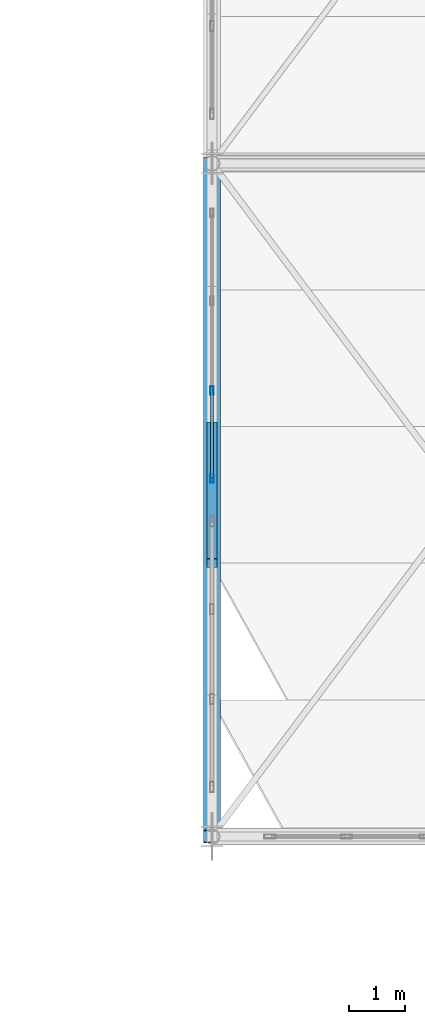
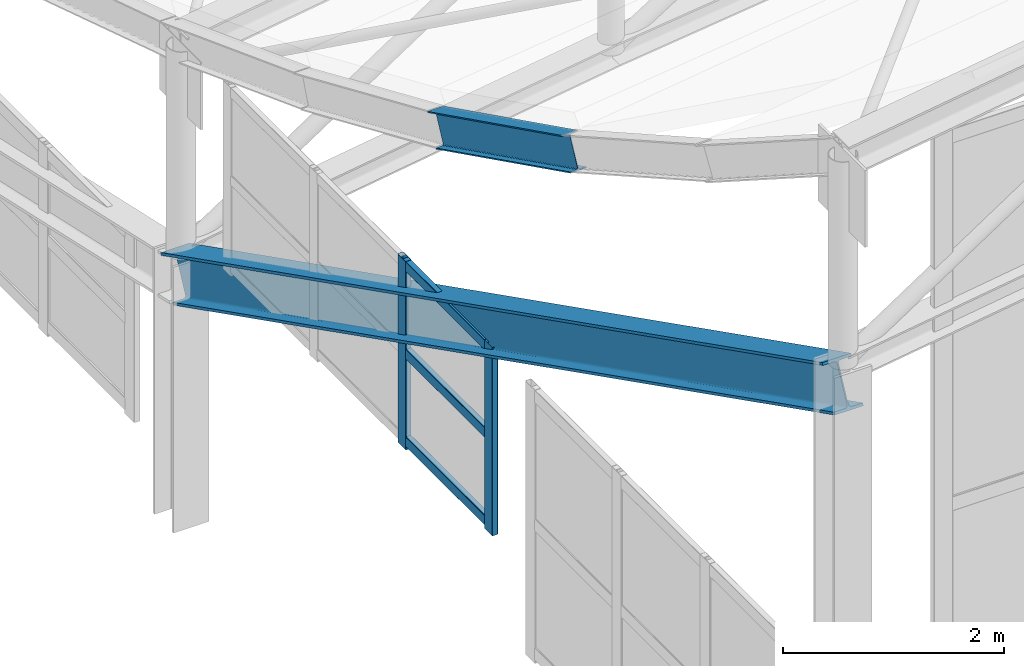
# One storey, part 42 of 262: 6 members, 1 beam, 1 element without a shape of its own.
"""IFC4 building model written with IfcOpenShell, lengths in metres."""

from ifc_helpers import new_model, si_unit, derived_unit, direction, frame, origin, origin_2d, place, context, subcontext, project, spatial, hollow_rectangle, i_section, extrude, material, layer, layer_set, material_profile, profile_set, type_object, element, aggregate, save


model = new_model("IFC4")

# Units and contexts
model_context = context("Model", 3, precision=1e-05, world=origin(), true_north=direction((0.0, 1.0)))
body_context = subcontext(model_context, "Body", "Model", "MODEL_VIEW")
ifc_project = project(units=[si_unit("LENGTHUNIT", "METRE"), si_unit("AREAUNIT", "SQUARE_METRE"), si_unit("VOLUMEUNIT", "CUBIC_METRE"), si_unit("PLANEANGLEUNIT", "RADIAN"), si_unit("MASSUNIT", "GRAM", prefix="KILO"), derived_unit("THERMALTRANSMITTANCEUNIT", [(si_unit("POWERUNIT", "WATT"), 1), (si_unit("LENGTHUNIT", "METRE"), -2), (si_unit("THERMODYNAMICTEMPERATUREUNIT", "KELVIN"), -1)])], contexts=[model_context])

# Site, building, storey
site_placement = place(None, origin())
site = spatial("IfcSite", under=ifc_project, at=site_placement, CompositionType="ELEMENT")
building_placement = place(site_placement, origin())
building = spatial("IfcBuilding", under=site, at=building_placement, Name="Almenara Railside Exhibition Hall", CompositionType="ELEMENT")
storey_placement = place(building_placement, frame((0.0, 0.0, 21.699951171875)))
storey = spatial("IfcBuildingStorey", under=building, at=storey_placement, Name="RF", CompositionType="ELEMENT", Elevation=21.699951171875)

# Curtain wall, members
ifc_material_1 = material(Name="Bronze-anodised aluminium and low-E double glazing", Category="aluminium")
ifc_layer = layer(ifc_material_1, 0.179931640625, Name="Bronze-anodised aluminium and low-E double glazing")
ifc_layer_set = layer_set([ifc_layer], Name="Bronze-anodised aluminium and low-E double glazing")
curtain_wall_type = type_object("IfcCurtainWallType", Name="West Hall Clerestory Curtain Wall 4200x2400", PredefinedType="NOTDEFINED", material=ifc_layer_set)
curtain_wall_placement = place(storey_placement, origin())
curtain_wall = element("IfcCurtainWall", 1, at=curtain_wall_placement, inside=storey, type_object=curtain_wall_type, Name="Curtain wall CW-CL1-169", PredefinedType="NOTDEFINED")
ifc_material_2 = material(Name="Bronze-anodised aluminium", Category="aluminium")
ifc_material_profile_1 = material_profile(ifc_material_2, hollow_rectangle(XDim=0.06005859375, YDim=0.14990234375, WallThickness=0.00341796875, InnerFilletRadius=0.00341796875, OuterFilletRadius=0.007080078125, at=origin_2d()), Name="ALU-MUL 60x150x3.5")
ifc_profile_set_1 = profile_set([ifc_material_profile_1], Name="Bronze-anodised aluminium")
member_type_1 = type_object("IfcMemberType", Name="Curtain Wall Mullion 60x150x3.5", PredefinedType="MULLION", material=ifc_profile_set_1)
member_1_placement = place(storey_placement, frame((12.0, 54.3798828125, 0.85498046875), z_axis=(0.0, 0.0, 1.0), x_axis=(-1.0, 0.0, 0.0)))
member_1 = element("IfcMember", 2, at=member_1_placement, type_object=member_type_1, Name="CW-CL1-169 mullion 1", PredefinedType="MULLION", context=body_context, shape_type="SweptSolid", body=[
    extrude(hollow_rectangle(XDim=0.06005859375, YDim=0.14990234375, WallThickness=0.00341796875, InnerFilletRadius=0.00341796875, OuterFilletRadius=0.007080078125, at=origin_2d()), origin(), (0.0, 0.0, 1.0), 2.0849609375),
])
member_2_placement = place(storey_placement, frame((12.0, 55.949951171875, 0.85498046875), z_axis=(0.0, 0.0, 1.0), x_axis=(-1.0, 0.0, 0.0)))
member_2 = element("IfcMember", 3, at=member_2_placement, type_object=member_type_1, Name="CW-CL1-169 mullion 2", PredefinedType="MULLION", context=body_context, shape_type="SweptSolid", body=[
    extrude(hollow_rectangle(XDim=0.06005859375, YDim=0.14990234375, WallThickness=0.00341796875, InnerFilletRadius=0.00341796875, OuterFilletRadius=0.007080078125, at=origin_2d()), origin(), (0.0, 0.0, 1.0), 2.0849609375),
])
ifc_material_profile_2 = material_profile(ifc_material_2, hollow_rectangle(XDim=0.06005859375, YDim=0.110107421875, WallThickness=0.0029296875, InnerFilletRadius=0.0029296875, OuterFilletRadius=0.006103515625, at=origin_2d()), Name="ALU-TRN 60x110x3")
ifc_profile_set_2 = profile_set([ifc_material_profile_2], Name="Bronze-anodised aluminium")
member_type_2 = type_object("IfcMemberType", Name="Curtain Wall Transom 60x110x3", PredefinedType="USERDEFINED", material=ifc_profile_set_2)
member_3_placement = place(storey_placement, frame((12.0, 54.402099609375, 0.945068359375), z_axis=(0.0, 1.0, 0.0), x_axis=(-1.0, 0.0, 0.0)))
member_3 = element("IfcMember", 4, at=member_3_placement, type_object=member_type_2, Name="CW-CL1-169 transom 1.1", ObjectType="TRANSOM", PredefinedType="USERDEFINED", context=body_context, shape_type="SweptSolid", body=[
    extrude(hollow_rectangle(XDim=0.06005859375, YDim=0.110107421875, WallThickness=0.0029296875, InnerFilletRadius=0.0029296875, OuterFilletRadius=0.006103515625, at=origin_2d()), origin(), (0.0, 0.0, 1.0), 1.52587890625),
])
member_4_placement = place(storey_placement, frame((12.0, 54.402099609375, 1.9150390625), z_axis=(0.0, 1.0, 0.0), x_axis=(-1.0, 0.0, 0.0)))
member_4 = element("IfcMember", 5, at=member_4_placement, type_object=member_type_2, Name="CW-CL1-169 transom 1.2", ObjectType="TRANSOM", PredefinedType="USERDEFINED", context=body_context, shape_type="SweptSolid", body=[
    extrude(hollow_rectangle(XDim=0.06005859375, YDim=0.110107421875, WallThickness=0.0029296875, InnerFilletRadius=0.0029296875, OuterFilletRadius=0.006103515625, at=origin_2d()), origin(), (0.0, 0.0, 1.0), 1.52587890625),
])
member_5_placement = place(storey_placement, frame((12.0, 54.402099609375, 2.885009765625), z_axis=(0.0, 1.0, 0.0), x_axis=(-1.0, 0.0, 0.0)))
member_5 = element("IfcMember", 6, at=member_5_placement, type_object=member_type_2, Name="CW-CL1-169 transom 1.3", ObjectType="TRANSOM", PredefinedType="USERDEFINED", context=body_context, shape_type="SweptSolid", body=[
    extrude(hollow_rectangle(XDim=0.06005859375, YDim=0.110107421875, WallThickness=0.0029296875, InnerFilletRadius=0.0029296875, OuterFilletRadius=0.006103515625, at=origin_2d()), origin(), (0.0, 0.0, 1.0), 1.52587890625),
])
aggregate(curtain_wall, [member_1, member_2, member_3, member_4, member_5])

# Member
ifc_material_3 = material(Name="Structural steel S355JR", Category="steel")
ifc_material_profile_3 = material_profile(ifc_material_3, i_section(OverallWidth=0.169921875, OverallDepth=0.360107421875, WebThickness=0.008056640625, FlangeThickness=0.0126953125, FilletRadius=0.01806640625, at=origin_2d()), Name="IPE 360")
ifc_profile_set_3 = profile_set([ifc_material_profile_3], Name="Structural steel S355JR")
member_type_3 = type_object("IfcMemberType", Name="Long-Span Scroll Purlin IPE 360 S355JR", PredefinedType="PURLIN", material=ifc_profile_set_3)
member_6_placement = place(storey_placement, frame((12.0, 52.873291015625, 5.96826171875), z_axis=(0.0, 0.895376074457, -0.445310773831), x_axis=(-1.0, 0.0, 0.0)))
element("IfcMember", 7, at=member_6_placement, inside=storey, type_object=member_type_3, Name="MEM-PR-V1-PR-IPE360-00-02", PredefinedType="PURLIN", context=body_context, shape_type="SweptSolid", body=[
    extrude(i_section(OverallWidth=0.169921875, OverallDepth=0.360107421875, WebThickness=0.008056640625, FlangeThickness=0.0126953125, FilletRadius=0.01806640625, at=origin_2d()), origin(), (0.0, 0.0, 1.0), 2.721435546875),
])

# Beam
ifc_material_profile_4 = material_profile(ifc_material_3, i_section(OverallWidth=0.300048828125, OverallDepth=0.5, WebThickness=0.014404296875, FlangeThickness=0.028076171875, FilletRadius=0.027099609375, at=origin_2d()), Name="HEB 500")
ifc_profile_set_4 = profile_set([ifc_material_profile_4], Name="Structural steel S355JR")
beam_type = type_object("IfcBeamType", Name="Steel Heavy Eaves Girder HEB 500 S355JR", PredefinedType="USERDEFINED", material=ifc_profile_set_4)
beam_placement = place(storey_placement, frame((12.0, 48.0, 6.35009765625), z_axis=(0.0, 0.892669577236, -0.450711688197), x_axis=(-1.0, 0.0, 0.0)))
element("IfcBeam", 8, at=beam_placement, inside=storey, type_object=beam_type, Name="Beam 0961", ObjectType="GIRDER", PredefinedType="USERDEFINED", context=body_context, shape_type="SweptSolid", body=[
    extrude(i_section(OverallWidth=0.300048828125, OverallDepth=0.5, WebThickness=0.014404296875, FlangeThickness=0.028076171875, FilletRadius=0.027099609375, at=origin_2d()), origin(), (0.0, 0.0, 1.0), 13.44287109375),
])

save(model, "model.ifc")
